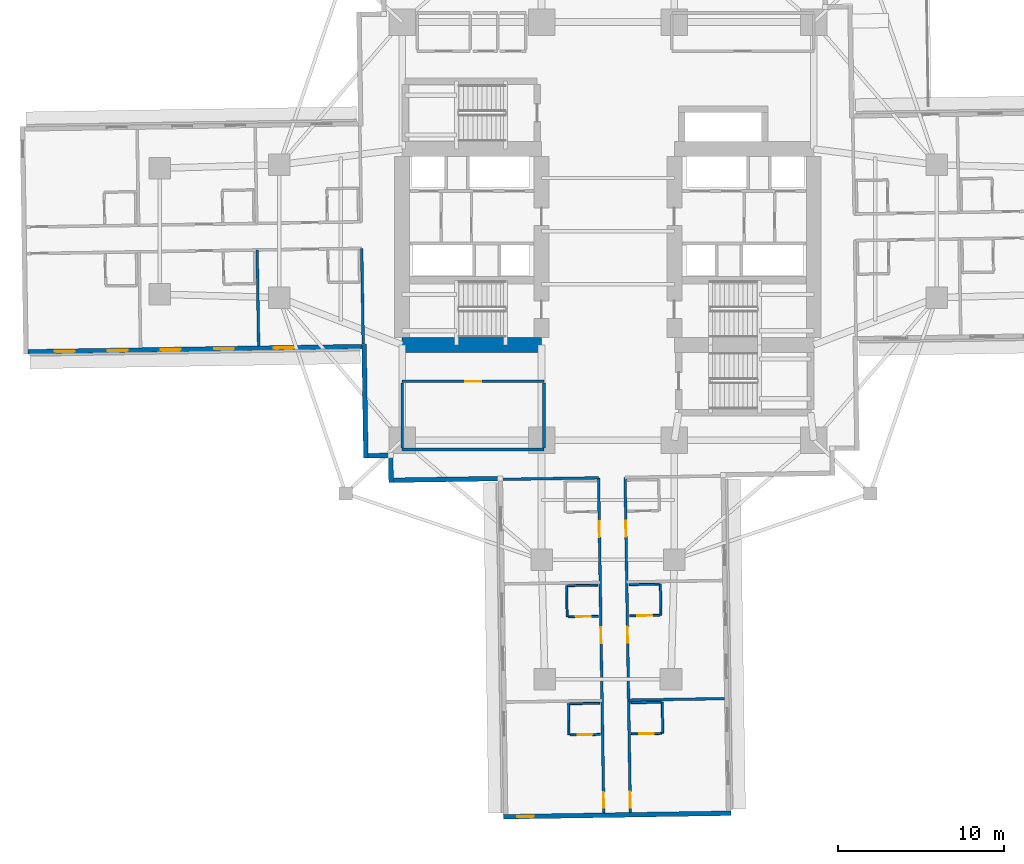
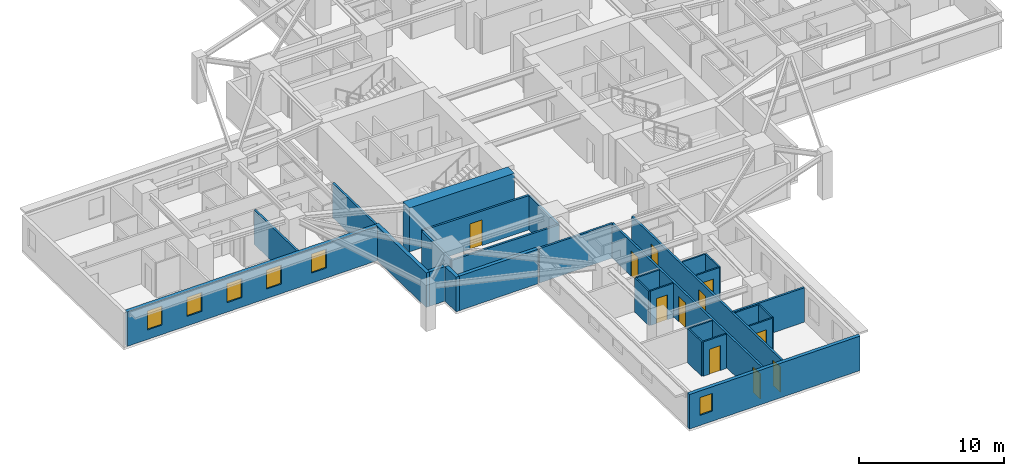
# One storey, part 3 of 14: 29 walls, 11 doors, 6 windows, 17 openings.
"""IFC4 building model written with IfcOpenShell, lengths in metres."""

from ifc_helpers import new_model, si_unit, direction, frame, frame_2d, origin, place, context, subcontext, project, spatial, rectangle, extrude, material, layer, layer_set, type_object, element, fill, save


model = new_model("IFC4")

# Units and contexts
model_context = context("Model", 3, precision=1e-05, world=origin(), true_north=direction((0.0, 1.0)))
body_context = subcontext(model_context, "Body", "Model", "MODEL_VIEW")
ifc_project = project(units=[si_unit("LENGTHUNIT", "METRE"), si_unit("AREAUNIT", "SQUARE_METRE"), si_unit("VOLUMEUNIT", "CUBIC_METRE"), si_unit("PLANEANGLEUNIT", "RADIAN"), si_unit("MASSUNIT", "GRAM", prefix="KILO")], contexts=[model_context])

# Site, building, storey
site_placement = place(None, origin())
site = spatial("IfcSite", under=ifc_project, at=site_placement, CompositionType="ELEMENT")
building_placement = place(site_placement, origin())
building = spatial("IfcBuilding", under=site, at=building_placement, Name="Qingluan Cross Belvedere", CompositionType="ELEMENT")
storey_placement = place(building_placement, frame((0.0, 0.0, 27.60009765625)))
storey = spatial("IfcBuildingStorey", under=building, at=storey_placement, Name="L07", CompositionType="ELEMENT", Elevation=27.60009765625)

# Walls
ifc_material_1 = material(Name="Concrete C70", Category="concrete")
ifc_layer_1 = layer(ifc_material_1, 0.89990234375, Name="CoreShearWall_900")
ifc_layer_set_1 = layer_set([ifc_layer_1], Name="Concrete C70")
wall_type_1 = type_object("IfcWallType", Name="CoreShearWall_900", PredefinedType="SHEAR", material=ifc_layer_set_1)
wall_1_placement = place(storey_placement, frame((-12.39990234375, -6.85009765625, 0.0), z_axis=(0.0, 0.0, 1.0), x_axis=(1.0, 0.0, 0.0)))
element("IfcWall", 1, at=wall_1_placement, inside=storey, type_object=wall_type_1, Name="Split core W shear wall L07-S", PredefinedType="SHEAR", context=body_context, shape_type="SweptSolid", body=[
    extrude(rectangle(XDim=8.39990234375, YDim=0.89990234375, at=frame_2d((4.199951171875, 0.0))), origin(), (0.0, 0.0, 1.0), 3.699951171875),
])
ifc_material_2 = material(Name="Gypsum plasterboard on steel stud acoustic partition", Category="steel")
ifc_layer_2 = layer(ifc_material_2, 0.159912109375, Name="CorridorPartition_160")
ifc_layer_set_2 = layer_set([ifc_layer_2], Name="Gypsum plasterboard on steel stud acoustic partition")
wall_type_2 = type_object("IfcWallType", Name="CorridorPartition_160", PredefinedType="PARTITIONING", material=ifc_layer_set_2)
wall_2_placement = place(storey_placement, frame((-12.39990234375, -13.14990234375, 0.0), z_axis=(0.0, 0.0, 1.0), x_axis=(1.0, 0.0, 0.0)))
element("IfcWall", 2, at=wall_2_placement, inside=storey, type_object=wall_type_2, Name="Partition L07:q_sw:S", PredefinedType="PARTITIONING", context=body_context, shape_type="SweptSolid", body=[
    extrude(rectangle(XDim=8.5498046875, YDim=0.159912109375, at=frame_2d((4.27490234375, 0.0))), origin(), (0.0, 0.0, 1.0), 2.89990234375),
])

# Wall, opening, door
wall_3_placement = place(storey_placement, frame((-12.39990234375, -9.050048828125, 0.0), z_axis=(0.0, 0.0, 1.0), x_axis=(1.0, 0.0, 0.0)))
wall_3 = element("IfcWall", 3, at=wall_3_placement, inside=storey, type_object=wall_type_2, Name="Partition L07:q_sw:N", PredefinedType="PARTITIONING", context=body_context, shape_type="SweptSolid", body=[
    extrude(rectangle(XDim=8.5498046875, YDim=0.159912109375, at=frame_2d((4.27490234375, 0.0))), origin(), (0.0, 0.0, 1.0), 2.89990234375),
])
opening_1_placement = place(wall_3_placement, frame((3.794921875, 0.0, 0.0)))
opening_1 = element("IfcOpeningElement", 4, at=opening_1_placement, cuts=wall_3, Name="Opening GD-10", PredefinedType="OPENING", context=body_context, shape_type="SweptSolid", body=[
    extrude(rectangle(XDim=0.9599609375, YDim=2.14990234375, at=frame_2d((0.47998046875, 1.074951171875))), frame((0.0, 0.08984375, 0.0), z_axis=(0.0, -1.0, 0.0), x_axis=(1.0, 0.0, 0.0)), (0.0, 0.0, 1.0), 0.179931640625),
])
ifc_material_3 = material(Name="Timber oak fire-rated acoustic guestroom door", Category="wood")
door_type_1 = type_object("IfcDoorType", Name="GuestEntryDoor_FD60", OperationType="NOTDEFINED", PredefinedType="DOOR", material=ifc_material_3)
door_1_placement = place(opening_1_placement, origin())
door_1 = element("IfcDoor", 5, at=door_1_placement, inside=storey, type_object=door_type_1, Name="Executive study room L07 door", OperationType="SINGLE_SWING_RIGHT", OverallHeight=2.14990234375, OverallWidth=0.9599609375, PredefinedType="DOOR", context=body_context, shape_type="SweptSolid", body=[
    extrude(rectangle(XDim=0.9599609375, YDim=2.14990234375, at=frame_2d((0.47998046875, 1.074951171875))), frame((0.0, 0.02490234375, 0.0), z_axis=(0.0, -1.0, 0.0), x_axis=(1.0, 0.0, 0.0)), (0.0, 0.0, 1.0), 0.050048828125),
])
fill(opening_1, door_1)

# Walls
for number, where, z_axis, x_axis, name in (
    (6, (-12.39990234375, -13.06494140625, 0.0), (0.0, 0.0, 1.0), (0.0, 1.0, 0.0), "Partition L07:q_sw:W"),
    (7, (-3.85009765625, -13.06494140625, 0.0), (0.0, 0.0, 1.0), (0.0, 1.0, 0.0), "Partition L07:q_sw:E"),
):
    element("IfcWall", number, at=place(storey_placement, frame(where, z_axis=z_axis, x_axis=x_axis)), inside=storey, type_object=wall_type_2, Name=name, PredefinedType="PARTITIONING", context=body_context, shape_type="SweptSolid", body=[
        extrude(rectangle(XDim=3.929931640625, YDim=0.159912109375, at=frame_2d((1.96484375, 0.0))), origin(), (0.0, 0.0, 1.0), 2.89990234375),
    ])
for number, where, z_axis, x_axis, name in (
    (8, (-14.835693359375, -1.033203125, 0.0), (0.0, 0.0, 1.0), (0.015734758102, -0.999876201031, 0.0), "Partition L07:W:s1"),
    (9, (-21.13671875, -1.132080078125, 0.0), (0.0, 0.0, 1.0), (0.015692470796, -0.999876865599, 0.0), "Partition L07:W:d1_0"),
):
    element("IfcWall", number, at=place(storey_placement, frame(where, z_axis=z_axis, x_axis=x_axis)), inside=storey, type_object=wall_type_2, Name=name, PredefinedType="PARTITIONING", context=body_context, shape_type="SweptSolid", body=[
        extrude(rectangle(XDim=5.77197265625, YDim=0.159912109375, at=frame_2d((2.885986328125, 0.0))), origin(), (0.0, 0.0, 1.0), 2.89990234375),
    ])

# Wall, openings, doors
wall_4_placement = place(storey_placement, frame((1.033203125, -14.835693359375, 0.0), z_axis=(0.0, 0.0, 1.0), x_axis=(0.015701893165, -0.999876717676, 0.0)))
wall_4 = element("IfcWall", 10, at=wall_4_placement, inside=storey, type_object=wall_type_2, Name="Partition L07:S:c0", PredefinedType="PARTITIONING", context=body_context, shape_type="SweptSolid", body=[
    extrude(rectangle(XDim=20.181884765625, YDim=0.159912109375, at=frame_2d((10.0908203125, 0.0))), origin(), (0.0, 0.0, 1.0), 2.89990234375),
])
opening_2_placement = place(wall_4_placement, frame((2.610107421875, 0.0, 0.0)))
opening_2 = element("IfcOpeningElement", 11, at=opening_2_placement, cuts=wall_4, Name="Opening GD-10", PredefinedType="OPENING", context=body_context, shape_type="SweptSolid", body=[
    extrude(rectangle(XDim=0.9599609375, YDim=2.14990234375, at=frame_2d((0.47998046875, 1.074951171875))), frame((0.0, 0.08984375, 0.0), z_axis=(0.0, -1.0, 0.0), x_axis=(1.0, 0.0, 0.0)), (0.0, 0.0, 1.0), 0.179931640625),
])
opening_3_placement = place(wall_4_placement, frame((8.993896484375, 0.0, 0.0)))
opening_3 = element("IfcOpeningElement", 12, at=opening_3_placement, cuts=wall_4, Name="Opening GD-10", PredefinedType="OPENING", context=body_context, shape_type="SweptSolid", body=[
    extrude(rectangle(XDim=0.9599609375, YDim=2.14990234375, at=frame_2d((0.47998046875, 1.074951171875))), frame((0.0, 0.08984375, 0.0), z_axis=(0.0, -1.0, 0.0), x_axis=(1.0, 0.0, 0.0)), (0.0, 0.0, 1.0), 0.179931640625),
])
opening_4_placement = place(wall_4_placement, frame((18.929931640625, 0.0, 0.0)))
opening_4 = element("IfcOpeningElement", 13, at=opening_4_placement, cuts=wall_4, Name="Opening GD-10", PredefinedType="OPENING", context=body_context, shape_type="SweptSolid", body=[
    extrude(rectangle(XDim=0.9599609375, YDim=2.14990234375, at=frame_2d((0.47998046875, 1.074951171875))), frame((0.0, 0.08984375, 0.0), z_axis=(0.0, -1.0, 0.0), x_axis=(1.0, 0.0, 0.0)), (0.0, 0.0, 1.0), 0.179931640625),
])
door_2_placement = place(opening_2_placement, origin())
door_2 = element("IfcDoor", 14, at=door_2_placement, inside=storey, type_object=door_type_1, Name="Guest entry fire door 0719", OperationType="SINGLE_SWING_LEFT", OverallHeight=2.14990234375, OverallWidth=0.9599609375, PredefinedType="DOOR", context=body_context, shape_type="SweptSolid", body=[
    extrude(rectangle(XDim=0.9599609375, YDim=2.14990234375, at=frame_2d((0.47998046875, 1.074951171875))), frame((0.0, 0.02490234375, 0.0), z_axis=(0.0, -1.0, 0.0), x_axis=(1.0, 0.0, 0.0)), (0.0, 0.0, 1.0), 0.050048828125),
])
fill(opening_2, door_2)
door_3_placement = place(opening_3_placement, origin())
door_3 = element("IfcDoor", 15, at=door_3_placement, inside=storey, type_object=door_type_1, Name="Guest entry fire door 0720", OperationType="SINGLE_SWING_LEFT", OverallHeight=2.14990234375, OverallWidth=0.9599609375, PredefinedType="DOOR", context=body_context, shape_type="SweptSolid", body=[
    extrude(rectangle(XDim=0.9599609375, YDim=2.14990234375, at=frame_2d((0.47998046875, 1.074951171875))), frame((0.0, 0.02490234375, 0.0), z_axis=(0.0, -1.0, 0.0), x_axis=(1.0, 0.0, 0.0)), (0.0, 0.0, 1.0), 0.050048828125),
])
fill(opening_3, door_3)
door_4_placement = place(opening_4_placement, origin())
door_4 = element("IfcDoor", 16, at=door_4_placement, inside=storey, type_object=door_type_1, Name="Guest entry fire door 0721", OperationType="SINGLE_SWING_LEFT", OverallHeight=2.14990234375, OverallWidth=0.9599609375, PredefinedType="DOOR", context=body_context, shape_type="SweptSolid", body=[
    extrude(rectangle(XDim=0.9599609375, YDim=2.14990234375, at=frame_2d((0.47998046875, 1.074951171875))), frame((0.0, 0.02490234375, 0.0), z_axis=(0.0, -1.0, 0.0), x_axis=(1.0, 0.0, 0.0)), (0.0, 0.0, 1.0), 0.050048828125),
])
fill(opening_4, door_4)

# Wall
wall_5_placement = place(storey_placement, frame((1.243896484375, -28.251953125, 0.0), z_axis=(0.0, 0.0, 1.0), x_axis=(0.999876865599, 0.015692470796, 0.0)))
element("IfcWall", 17, at=wall_5_placement, inside=storey, type_object=wall_type_2, Name="Partition L07:S:d0_1", PredefinedType="PARTITIONING", context=body_context, shape_type="SweptSolid", body=[
    extrude(rectangle(XDim=5.77197265625, YDim=0.159912109375, at=frame_2d((2.885986328125, 0.0))), origin(), (0.0, 0.0, 1.0), 2.89990234375),
])

# Wall, openings, doors
wall_6_placement = place(storey_placement, frame((-0.566650390625, -14.860595703125, 0.0), z_axis=(0.0, 0.0, 1.0), x_axis=(0.015713797103, -0.999876530668, 0.0)))
wall_6 = element("IfcWall", 18, at=wall_6_placement, inside=storey, type_object=wall_type_2, Name="Partition L07:S:c1", PredefinedType="PARTITIONING", context=body_context, shape_type="SweptSolid", body=[
    extrude(rectangle(XDim=20.18212890625, YDim=0.159912109375, at=frame_2d((10.091064453125, 0.0))), origin(), (0.0, 0.0, 1.0), 2.89990234375),
])
opening_5_placement = place(wall_6_placement, frame((2.610107421875, 0.0, 0.0)))
opening_5 = element("IfcOpeningElement", 19, at=opening_5_placement, cuts=wall_6, Name="Opening GD-10", PredefinedType="OPENING", context=body_context, shape_type="SweptSolid", body=[
    extrude(rectangle(XDim=0.9599609375, YDim=2.14990234375, at=frame_2d((0.47998046875, 1.074951171875))), frame((0.0, 0.08984375, 0.0), z_axis=(0.0, -1.0, 0.0), x_axis=(1.0, 0.0, 0.0)), (0.0, 0.0, 1.0), 0.179931640625),
])
opening_6_placement = place(wall_6_placement, frame((8.993896484375, 0.0, 0.0)))
opening_6 = element("IfcOpeningElement", 20, at=opening_6_placement, cuts=wall_6, Name="Opening GD-10", PredefinedType="OPENING", context=body_context, shape_type="SweptSolid", body=[
    extrude(rectangle(XDim=0.9599609375, YDim=2.14990234375, at=frame_2d((0.47998046875, 1.074951171875))), frame((0.0, 0.08984375, 0.0), z_axis=(0.0, -1.0, 0.0), x_axis=(1.0, 0.0, 0.0)), (0.0, 0.0, 1.0), 0.179931640625),
])
opening_7_placement = place(wall_6_placement, frame((18.929931640625, 0.0, 0.0)))
opening_7 = element("IfcOpeningElement", 21, at=opening_7_placement, cuts=wall_6, Name="Opening GD-10", PredefinedType="OPENING", context=body_context, shape_type="SweptSolid", body=[
    extrude(rectangle(XDim=0.9599609375, YDim=2.14990234375, at=frame_2d((0.47998046875, 1.074951171875))), frame((0.0, 0.08984375, 0.0), z_axis=(0.0, -1.0, 0.0), x_axis=(1.0, 0.0, 0.0)), (0.0, 0.0, 1.0), 0.179931640625),
])
door_5_placement = place(opening_5_placement, origin())
door_5 = element("IfcDoor", 22, at=door_5_placement, inside=storey, type_object=door_type_1, Name="Guest entry fire door 0722", OperationType="SINGLE_SWING_LEFT", OverallHeight=2.14990234375, OverallWidth=0.9599609375, PredefinedType="DOOR", context=body_context, shape_type="SweptSolid", body=[
    extrude(rectangle(XDim=0.9599609375, YDim=2.14990234375, at=frame_2d((0.47998046875, 1.074951171875))), frame((0.0, 0.02490234375, 0.0), z_axis=(0.0, -1.0, 0.0), x_axis=(1.0, 0.0, 0.0)), (0.0, 0.0, 1.0), 0.050048828125),
])
fill(opening_5, door_5)
door_6_placement = place(opening_6_placement, origin())
door_6 = element("IfcDoor", 23, at=door_6_placement, inside=storey, type_object=door_type_1, Name="Guest entry fire door 0723", OperationType="SINGLE_SWING_LEFT", OverallHeight=2.14990234375, OverallWidth=0.9599609375, PredefinedType="DOOR", context=body_context, shape_type="SweptSolid", body=[
    extrude(rectangle(XDim=0.9599609375, YDim=2.14990234375, at=frame_2d((0.47998046875, 1.074951171875))), frame((0.0, 0.02490234375, 0.0), z_axis=(0.0, -1.0, 0.0), x_axis=(1.0, 0.0, 0.0)), (0.0, 0.0, 1.0), 0.050048828125),
])
fill(opening_6, door_6)
door_7_placement = place(opening_7_placement, origin())
door_7 = element("IfcDoor", 24, at=door_7_placement, inside=storey, type_object=door_type_1, Name="Guest entry fire door 0724", OperationType="SINGLE_SWING_LEFT", OverallHeight=2.14990234375, OverallWidth=0.9599609375, PredefinedType="DOOR", context=body_context, shape_type="SweptSolid", body=[
    extrude(rectangle(XDim=0.9599609375, YDim=2.14990234375, at=frame_2d((0.47998046875, 1.074951171875))), frame((0.0, 0.02490234375, 0.0), z_axis=(0.0, -1.0, 0.0), x_axis=(1.0, 0.0, 0.0)), (0.0, 0.0, 1.0), 0.050048828125),
])
fill(opening_7, door_7)

# Wall
wall_7_placement = place(storey_placement, frame((-0.566650390625, -14.860595703125, 0.0), z_axis=(0.0, 0.0, 1.0), x_axis=(-0.999876548847, -0.015712640343, 0.0)))
element("IfcWall", 25, at=wall_7_placement, inside=storey, type_object=wall_type_2, Name="Partition L07:S:s1", PredefinedType="PARTITIONING", context=body_context, shape_type="SweptSolid", body=[
    extrude(rectangle(XDim=5.919921875, YDim=0.159912109375, at=frame_2d((2.9599609375, 0.0))), origin(), (0.0, 0.0, 1.0), 2.89990234375),
])

# Wall, opening, door
ifc_material_4 = material(Name="Moisture-resistant gypsum board lining")
ifc_layer_3 = layer(ifc_material_4, 0.1201171875, Name="EnsuiteWetPartition_120")
ifc_layer_set_3 = layer_set([ifc_layer_3], Name="Moisture-resistant gypsum board lining")
wall_type_3 = type_object("IfcWallType", Name="EnsuiteWetPartition_120", PredefinedType="PARTITIONING", material=ifc_layer_set_3)
wall_8_placement = place(storey_placement, frame((1.30419921875, -23.17431640625, 0.0), z_axis=(0.0, 0.0, 1.0), x_axis=(0.999876803258, 0.015696442504, 0.0)))
wall_8 = element("IfcWall", 26, at=wall_8_placement, inside=storey, type_object=wall_type_3, Name="Partition L07:S:bs0_1", PredefinedType="PARTITIONING", context=body_context, shape_type="SweptSolid", body=[
    extrude(rectangle(XDim=1.81982421875, YDim=0.1201171875, at=frame_2d((0.909912109375, 0.0))), origin(), (0.0, 0.0, 1.0), 2.89990234375),
])
opening_8_placement = place(wall_8_placement, frame((0.469970703125, 0.0, 0.0)))
opening_8 = element("IfcOpeningElement", 27, at=opening_8_placement, cuts=wall_8, Name="Opening BD-09", PredefinedType="OPENING", context=body_context, shape_type="SweptSolid", body=[
    extrude(rectangle(XDim=0.8798828125, YDim=2.10009765625, at=frame_2d((0.43994140625, 1.050048828125))), frame((0.0, 0.070068359375, 0.0), z_axis=(0.0, -1.0, 0.0), x_axis=(1.0, 0.0, 0.0)), (0.0, 0.0, 1.0), 0.14013671875),
])
ifc_material_5 = material(Name="Moisture-sealed timber en-suite door", Category="wood")
door_type_2 = type_object("IfcDoorType", Name="BathroomDoor_880", OperationType="NOTDEFINED", PredefinedType="DOOR", material=ifc_material_5)
door_8_placement = place(opening_8_placement, origin())
door_8 = element("IfcDoor", 28, at=door_8_placement, inside=storey, type_object=door_type_2, Name="Bathroom door 0720", OperationType="SINGLE_SWING_RIGHT", OverallHeight=2.10009765625, OverallWidth=0.8798828125, PredefinedType="DOOR", context=body_context, shape_type="SweptSolid", body=[
    extrude(rectangle(XDim=0.8798828125, YDim=2.10009765625, at=frame_2d((0.43994140625, 1.050048828125))), frame((0.0, 0.02490234375, 0.0), z_axis=(0.0, -1.0, 0.0), x_axis=(1.0, 0.0, 0.0)), (0.0, 0.0, 1.0), 0.050048828125),
])
fill(opening_8, door_8)

# Walls
wall_9_placement = place(storey_placement, frame((1.274658203125, -21.294677734375, 0.0), z_axis=(0.0, 0.0, 1.0), x_axis=(0.999876836305, 0.015694337248, 0.0)))
element("IfcWall", 29, at=wall_9_placement, inside=storey, type_object=wall_type_3, Name="Partition L07:S:bw0_1", PredefinedType="PARTITIONING", context=body_context, shape_type="SweptSolid", body=[
    extrude(rectangle(XDim=1.820068359375, YDim=0.1201171875, at=frame_2d((0.91015625, 0.0))), origin(), (0.0, 0.0, 1.0), 2.89990234375),
])
wall_10_placement = place(storey_placement, frame((3.159423828125, -21.264892578125, 0.0), z_axis=(0.0, 0.0, 1.0), x_axis=(0.01571234584, -0.999876553475, 0.0)))
element("IfcWall", 30, at=wall_10_placement, inside=storey, type_object=wall_type_3, Name="Partition L07:S:bn0_1", PredefinedType="PARTITIONING", context=body_context, shape_type="SweptSolid", body=[
    extrude(rectangle(XDim=1.880126953125, YDim=0.1201171875, at=frame_2d((0.93994140625, 0.0))), origin(), (0.0, 0.0, 1.0), 2.89990234375),
])

# Wall, opening, door
wall_11_placement = place(storey_placement, frame((1.416015625, -30.28955078125, 0.0), z_axis=(0.0, 0.0, 1.0), x_axis=(0.999876803258, 0.015696442504, 0.0)))
wall_11 = element("IfcWall", 31, at=wall_11_placement, inside=storey, type_object=wall_type_3, Name="Partition L07:S:bs0_2", PredefinedType="PARTITIONING", context=body_context, shape_type="SweptSolid", body=[
    extrude(rectangle(XDim=1.81982421875, YDim=0.1201171875, at=frame_2d((0.909912109375, 0.0))), origin(), (0.0, 0.0, 1.0), 2.89990234375),
])
opening_9_placement = place(wall_11_placement, frame((0.469970703125, 0.0, 0.0)))
opening_9 = element("IfcOpeningElement", 32, at=opening_9_placement, cuts=wall_11, Name="Opening BD-09", PredefinedType="OPENING", context=body_context, shape_type="SweptSolid", body=[
    extrude(rectangle(XDim=0.8798828125, YDim=2.10009765625, at=frame_2d((0.43994140625, 1.050048828125))), frame((0.0, 0.070068359375, 0.0), z_axis=(0.0, -1.0, 0.0), x_axis=(1.0, 0.0, 0.0)), (0.0, 0.0, 1.0), 0.14013671875),
])
door_9_placement = place(opening_9_placement, origin())
door_9 = element("IfcDoor", 33, at=door_9_placement, inside=storey, type_object=door_type_2, Name="Bathroom door 0721", OperationType="SINGLE_SWING_RIGHT", OverallHeight=2.10009765625, OverallWidth=0.8798828125, PredefinedType="DOOR", context=body_context, shape_type="SweptSolid", body=[
    extrude(rectangle(XDim=0.8798828125, YDim=2.10009765625, at=frame_2d((0.43994140625, 1.050048828125))), frame((0.0, 0.02490234375, 0.0), z_axis=(0.0, -1.0, 0.0), x_axis=(1.0, 0.0, 0.0)), (0.0, 0.0, 1.0), 0.050048828125),
])
fill(opening_9, door_9)

# Walls
wall_12_placement = place(storey_placement, frame((1.386474609375, -28.40966796875, 0.0), z_axis=(0.0, 0.0, 1.0), x_axis=(0.999876836305, 0.015694337248, 0.0)))
element("IfcWall", 34, at=wall_12_placement, inside=storey, type_object=wall_type_3, Name="Partition L07:S:bw0_2", PredefinedType="PARTITIONING", context=body_context, shape_type="SweptSolid", body=[
    extrude(rectangle(XDim=1.820068359375, YDim=0.1201171875, at=frame_2d((0.91015625, 0.0))), origin(), (0.0, 0.0, 1.0), 2.89990234375),
])
wall_13_placement = place(storey_placement, frame((3.271240234375, -28.380126953125, 0.0), z_axis=(0.0, 0.0, 1.0), x_axis=(0.01571234584, -0.999876553475, 0.0)))
element("IfcWall", 35, at=wall_13_placement, inside=storey, type_object=wall_type_3, Name="Partition L07:S:bn0_2", PredefinedType="PARTITIONING", context=body_context, shape_type="SweptSolid", body=[
    extrude(rectangle(XDim=1.880126953125, YDim=0.1201171875, at=frame_2d((0.93994140625, 0.0))), origin(), (0.0, 0.0, 1.0), 2.89990234375),
])

# Wall, opening, door
wall_14_placement = place(storey_placement, frame((-2.3955078125, -23.232421875, 0.0), z_axis=(0.0, 0.0, 1.0), x_axis=(0.999876836305, 0.015694337248, 0.0)))
wall_14 = element("IfcWall", 36, at=wall_14_placement, inside=storey, type_object=wall_type_3, Name="Partition L07:S:bs1_1", PredefinedType="PARTITIONING", context=body_context, shape_type="SweptSolid", body=[
    extrude(rectangle(XDim=1.820068359375, YDim=0.1201171875, at=frame_2d((0.91015625, 0.0))), origin(), (0.0, 0.0, 1.0), 2.89990234375),
])
opening_10_placement = place(wall_14_placement, frame((0.469970703125, 0.0, 0.0)))
opening_10 = element("IfcOpeningElement", 37, at=opening_10_placement, cuts=wall_14, Name="Opening BD-09", PredefinedType="OPENING", context=body_context, shape_type="SweptSolid", body=[
    extrude(rectangle(XDim=0.8798828125, YDim=2.10009765625, at=frame_2d((0.43994140625, 1.050048828125))), frame((0.0, 0.070068359375, 0.0), z_axis=(0.0, -1.0, 0.0), x_axis=(1.0, 0.0, 0.0)), (0.0, 0.0, 1.0), 0.14013671875),
])
door_10_placement = place(opening_10_placement, origin())
door_10 = element("IfcDoor", 38, at=door_10_placement, inside=storey, type_object=door_type_2, Name="Bathroom door 0723", OperationType="SINGLE_SWING_RIGHT", OverallHeight=2.10009765625, OverallWidth=0.8798828125, PredefinedType="DOOR", context=body_context, shape_type="SweptSolid", body=[
    extrude(rectangle(XDim=0.8798828125, YDim=2.10009765625, at=frame_2d((0.43994140625, 1.050048828125))), frame((0.0, 0.02490234375, 0.0), z_axis=(0.0, -1.0, 0.0), x_axis=(1.0, 0.0, 0.0)), (0.0, 0.0, 1.0), 0.050048828125),
])
fill(opening_10, door_10)

# Walls
wall_15_placement = place(storey_placement, frame((-2.4248046875, -21.352783203125, 0.0), z_axis=(0.0, 0.0, 1.0), x_axis=(0.999876836305, 0.015694337248, 0.0)))
element("IfcWall", 39, at=wall_15_placement, inside=storey, type_object=wall_type_3, Name="Partition L07:S:bw1_1", PredefinedType="PARTITIONING", context=body_context, shape_type="SweptSolid", body=[
    extrude(rectangle(XDim=1.820068359375, YDim=0.1201171875, at=frame_2d((0.91015625, 0.0))), origin(), (0.0, 0.0, 1.0), 2.89990234375),
])
wall_16_placement = place(storey_placement, frame((-2.489990234375, -21.353759765625, 0.0), z_axis=(0.0, 0.0, 1.0), x_axis=(0.015714386166, -0.99987652141, 0.0)))
element("IfcWall", 40, at=wall_16_placement, inside=storey, type_object=wall_type_3, Name="Partition L07:S:bc1_1", PredefinedType="PARTITIONING", context=body_context, shape_type="SweptSolid", body=[
    extrude(rectangle(XDim=1.8798828125, YDim=0.1201171875, at=frame_2d((0.93994140625, 0.0))), origin(), (0.0, 0.0, 1.0), 2.89990234375),
])

# Wall, opening, door
wall_17_placement = place(storey_placement, frame((-2.28369140625, -30.34765625, 0.0), z_axis=(0.0, 0.0, 1.0), x_axis=(0.999876836305, 0.015694337248, 0.0)))
wall_17 = element("IfcWall", 41, at=wall_17_placement, inside=storey, type_object=wall_type_3, Name="Partition L07:S:bs1_2", PredefinedType="PARTITIONING", context=body_context, shape_type="SweptSolid", body=[
    extrude(rectangle(XDim=1.820068359375, YDim=0.1201171875, at=frame_2d((0.91015625, 0.0))), origin(), (0.0, 0.0, 1.0), 2.89990234375),
])
opening_11_placement = place(wall_17_placement, frame((0.469970703125, 0.0, 0.0)))
opening_11 = element("IfcOpeningElement", 42, at=opening_11_placement, cuts=wall_17, Name="Opening BD-09", PredefinedType="OPENING", context=body_context, shape_type="SweptSolid", body=[
    extrude(rectangle(XDim=0.8798828125, YDim=2.10009765625, at=frame_2d((0.43994140625, 1.050048828125))), frame((0.0, 0.070068359375, 0.0), z_axis=(0.0, -1.0, 0.0), x_axis=(1.0, 0.0, 0.0)), (0.0, 0.0, 1.0), 0.14013671875),
])
door_11_placement = place(opening_11_placement, origin())
door_11 = element("IfcDoor", 43, at=door_11_placement, inside=storey, type_object=door_type_2, Name="Bathroom door 0724", OperationType="SINGLE_SWING_RIGHT", OverallHeight=2.10009765625, OverallWidth=0.8798828125, PredefinedType="DOOR", context=body_context, shape_type="SweptSolid", body=[
    extrude(rectangle(XDim=0.8798828125, YDim=2.10009765625, at=frame_2d((0.43994140625, 1.050048828125))), frame((0.0, 0.02490234375, 0.0), z_axis=(0.0, -1.0, 0.0), x_axis=(1.0, 0.0, 0.0)), (0.0, 0.0, 1.0), 0.050048828125),
])
fill(opening_11, door_11)

# Walls
wall_18_placement = place(storey_placement, frame((-2.31298828125, -28.4677734375, 0.0), z_axis=(0.0, 0.0, 1.0), x_axis=(0.999876803258, 0.015696442504, 0.0)))
element("IfcWall", 44, at=wall_18_placement, inside=storey, type_object=wall_type_3, Name="Partition L07:S:bw1_2", PredefinedType="PARTITIONING", context=body_context, shape_type="SweptSolid", body=[
    extrude(rectangle(XDim=1.81982421875, YDim=0.1201171875, at=frame_2d((0.909912109375, 0.0))), origin(), (0.0, 0.0, 1.0), 2.89990234375),
])
wall_19_placement = place(storey_placement, frame((-2.378173828125, -28.468994140625, 0.0), z_axis=(0.0, 0.0, 1.0), x_axis=(0.015714386166, -0.99987652141, 0.0)))
element("IfcWall", 45, at=wall_19_placement, inside=storey, type_object=wall_type_3, Name="Partition L07:S:bc1_2", PredefinedType="PARTITIONING", context=body_context, shape_type="SweptSolid", body=[
    extrude(rectangle(XDim=1.8798828125, YDim=0.1201171875, at=frame_2d((0.93994140625, 0.0))), origin(), (0.0, 0.0, 1.0), 2.89990234375),
])

# Wall, openings, windows
ifc_material_6 = material(Name="Precast concrete C45", Category="concrete")
ifc_layer_4 = layer(ifc_material_6, 0.280029296875, Name="PrecastFacadeWall_280")
ifc_layer_set_4 = layer_set([ifc_layer_4], Name="Precast concrete C45")
wall_type_4 = type_object("IfcWallType", Name="PrecastFacadeWall_280", PredefinedType="STANDARD", material=ifc_layer_set_4)
wall_20_placement = place(storey_placement, frame((-34.93017578125, -7.26953125, 0.0), z_axis=(0.0, 0.0, 1.0), x_axis=(0.999876667941, 0.015705059908, 0.0)))
wall_20 = element("IfcWall", 46, at=wall_20_placement, inside=storey, type_object=wall_type_4, Name="Facade wall L07-WB", PredefinedType="STANDARD", context=body_context, shape_type="SweptSolid", body=[
    extrude(rectangle(XDim=20.10009765625, YDim=0.280029296875, at=frame_2d((10.050048828125, 0.0))), origin(), (0.0, 0.0, 1.0), 2.909912109375),
])
opening_12_placement = place(wall_20_placement, frame((1.60009765625, 0.0, 0.800048828125)))
opening_12 = element("IfcOpeningElement", 47, at=opening_12_placement, cuts=wall_20, Name="Opening W-02", PredefinedType="OPENING", context=body_context, shape_type="SweptSolid", body=[
    extrude(rectangle(XDim=1.199951171875, YDim=1.60009765625, at=frame_2d((0.60009765625, 0.800048828125))), frame((0.0, 0.14990234375, 0.0), z_axis=(0.0, -1.0, 0.0), x_axis=(1.0, 0.0, 0.0)), (0.0, 0.0, 1.0), 0.300048828125),
])
opening_13_placement = place(wall_20_placement, frame((4.800048828125, 0.0, 0.800048828125)))
opening_13 = element("IfcOpeningElement", 48, at=opening_13_placement, cuts=wall_20, Name="Opening W-02", PredefinedType="OPENING", context=body_context, shape_type="SweptSolid", body=[
    extrude(rectangle(XDim=1.199951171875, YDim=1.60009765625, at=frame_2d((0.60009765625, 0.800048828125))), frame((0.0, 0.14990234375, 0.0), z_axis=(0.0, -1.0, 0.0), x_axis=(1.0, 0.0, 0.0)), (0.0, 0.0, 1.0), 0.300048828125),
])
opening_14_placement = place(wall_20_placement, frame((8.0, 0.0, 0.800048828125)))
opening_14 = element("IfcOpeningElement", 49, at=opening_14_placement, cuts=wall_20, Name="Opening W-02", PredefinedType="OPENING", context=body_context, shape_type="SweptSolid", body=[
    extrude(rectangle(XDim=1.199951171875, YDim=1.60009765625, at=frame_2d((0.60009765625, 0.800048828125))), frame((0.0, 0.14990234375, 0.0), z_axis=(0.0, -1.0, 0.0), x_axis=(1.0, 0.0, 0.0)), (0.0, 0.0, 1.0), 0.300048828125),
])
opening_15_placement = place(wall_20_placement, frame((11.199951171875, 0.0, 0.800048828125)))
opening_15 = element("IfcOpeningElement", 50, at=opening_15_placement, cuts=wall_20, Name="Opening W-02", PredefinedType="OPENING", context=body_context, shape_type="SweptSolid", body=[
    extrude(rectangle(XDim=1.199951171875, YDim=1.60009765625, at=frame_2d((0.60009765625, 0.800048828125))), frame((0.0, 0.14990234375, 0.0), z_axis=(0.0, -1.0, 0.0), x_axis=(1.0, 0.0, 0.0)), (0.0, 0.0, 1.0), 0.300048828125),
])
opening_16_placement = place(wall_20_placement, frame((14.799072265625, 0.0, 0.85009765625)))
opening_16 = element("IfcOpeningElement", 51, at=opening_16_placement, cuts=wall_20, Name="Opening W-02", PredefinedType="OPENING", context=body_context, shape_type="SweptSolid", body=[
    extrude(rectangle(XDim=1.199951171875, YDim=1.60009765625, at=frame_2d((0.60009765625, 0.800048828125))), frame((0.0, 0.14990234375, 0.0), z_axis=(0.0, -1.0, 0.0), x_axis=(1.0, 0.0, 0.0)), (0.0, 0.0, 1.0), 0.300048828125),
])
ifc_material_7 = material(Name="Thermally broken triple Low-E glass in aluminium frame", Category="aluminium")
window_type_1 = type_object("IfcWindowType", Name="TriRibbonWin_1200x1600", PartitioningType="SINGLE_PANEL", PredefinedType="WINDOW", material=ifc_material_7)
window_1_placement = place(opening_12_placement, origin())
window_1 = element("IfcWindow", 52, at=window_1_placement, inside=storey, type_object=window_type_1, Name="Ribbon window L07-WB-1", OverallHeight=1.60009765625, OverallWidth=1.199951171875, PartitioningType="SINGLE_PANEL", PredefinedType="WINDOW", context=body_context, shape_type="SweptSolid", body=[
    extrude(rectangle(XDim=1.199951171875, YDim=1.60009765625, at=frame_2d((0.60009765625, 0.800048828125))), frame((0.0, 0.030029296875, 0.0), z_axis=(0.0, -1.0, 0.0), x_axis=(1.0, 0.0, 0.0)), (0.0, 0.0, 1.0), 0.06005859375),
])
fill(opening_12, window_1)
window_2_placement = place(opening_13_placement, origin())
window_2 = element("IfcWindow", 53, at=window_2_placement, inside=storey, type_object=window_type_1, Name="Ribbon window L07-WB-2", OverallHeight=1.60009765625, OverallWidth=1.199951171875, PartitioningType="SINGLE_PANEL", PredefinedType="WINDOW", context=body_context, shape_type="SweptSolid", body=[
    extrude(rectangle(XDim=1.199951171875, YDim=1.60009765625, at=frame_2d((0.60009765625, 0.800048828125))), frame((0.0, 0.030029296875, 0.0), z_axis=(0.0, -1.0, 0.0), x_axis=(1.0, 0.0, 0.0)), (0.0, 0.0, 1.0), 0.06005859375),
])
fill(opening_13, window_2)
window_3_placement = place(opening_14_placement, origin())
window_3 = element("IfcWindow", 54, at=window_3_placement, inside=storey, type_object=window_type_1, Name="Ribbon window L07-WB-3", OverallHeight=1.60009765625, OverallWidth=1.199951171875, PartitioningType="SINGLE_PANEL", PredefinedType="WINDOW", context=body_context, shape_type="SweptSolid", body=[
    extrude(rectangle(XDim=1.199951171875, YDim=1.60009765625, at=frame_2d((0.60009765625, 0.800048828125))), frame((0.0, 0.030029296875, 0.0), z_axis=(0.0, -1.0, 0.0), x_axis=(1.0, 0.0, 0.0)), (0.0, 0.0, 1.0), 0.06005859375),
])
fill(opening_14, window_3)
window_4_placement = place(opening_15_placement, origin())
window_4 = element("IfcWindow", 55, at=window_4_placement, inside=storey, type_object=window_type_1, Name="Ribbon window L07-WB-4", OverallHeight=1.60009765625, OverallWidth=1.199951171875, PartitioningType="SINGLE_PANEL", PredefinedType="WINDOW", context=body_context, shape_type="SweptSolid", body=[
    extrude(rectangle(XDim=1.199951171875, YDim=1.60009765625, at=frame_2d((0.60009765625, 0.800048828125))), frame((0.0, 0.030029296875, 0.0), z_axis=(0.0, -1.0, 0.0), x_axis=(1.0, 0.0, 0.0)), (0.0, 0.0, 1.0), 0.06005859375),
])
fill(opening_15, window_4)
window_5_placement = place(opening_16_placement, origin())
window_5 = element("IfcWindow", 56, at=window_5_placement, inside=storey, type_object=window_type_1, Name="Deluxe guest room 0710 daylight window", OverallHeight=1.60009765625, OverallWidth=1.199951171875, PartitioningType="SINGLE_PANEL", PredefinedType="WINDOW", context=body_context, shape_type="SweptSolid", body=[
    extrude(rectangle(XDim=1.199951171875, YDim=1.60009765625, at=frame_2d((0.60009765625, 0.800048828125))), frame((0.0, 0.030029296875, 0.0), z_axis=(0.0, -1.0, 0.0), x_axis=(1.0, 0.0, 0.0)), (0.0, 0.0, 1.0), 0.06005859375),
])
fill(opening_16, window_5)

# Wall, opening, window
wall_21_placement = place(storey_placement, frame((-6.306640625, -35.283447265625, 0.0), z_axis=(0.0, 0.0, 1.0), x_axis=(0.999876549481, 0.015712599986, 0.0)))
wall_21 = element("IfcWall", 57, at=wall_21_placement, inside=storey, type_object=wall_type_4, Name="Arm tip precast facade wall L07-S", PredefinedType="STANDARD", context=body_context, shape_type="SweptSolid", body=[
    extrude(rectangle(XDim=13.719970703125, YDim=0.280029296875, at=frame_2d((6.85986328125, 0.0))), origin(), (0.0, 0.0, 1.0), 2.909912109375),
])
opening_17_placement = place(wall_21_placement, frame((0.85009765625, 0.0, 0.85009765625)))
opening_17 = element("IfcOpeningElement", 58, at=opening_17_placement, cuts=wall_21, Name="Opening W-03", PredefinedType="OPENING", context=body_context, shape_type="SweptSolid", body=[
    extrude(rectangle(XDim=1.0, YDim=1.5, at=frame_2d((0.5, 0.75))), frame((0.0, 0.14990234375, 0.0), z_axis=(0.0, -1.0, 0.0), x_axis=(1.0, 0.0, 0.0)), (0.0, 0.0, 1.0), 0.300048828125),
])
ifc_material_8 = material(Name="Thermally broken triple Low-E glass in aluminium frame", Category="aluminium")
window_type_2 = type_object("IfcWindowType", Name="TriApexWin_1000x1500", PartitioningType="SINGLE_PANEL", PredefinedType="WINDOW", material=ifc_material_8)
window_6_placement = place(opening_17_placement, origin())
window_6 = element("IfcWindow", 59, at=window_6_placement, inside=storey, type_object=window_type_2, Name="Arm tip triangular window L07-S", OverallHeight=1.5, OverallWidth=1.0, PartitioningType="SINGLE_PANEL", PredefinedType="WINDOW", context=body_context, shape_type="SweptSolid", body=[
    extrude(rectangle(XDim=1.0, YDim=1.5, at=frame_2d((0.5, 0.75))), frame((0.0, 0.030029296875, 0.0), z_axis=(0.0, -1.0, 0.0), x_axis=(1.0, 0.0, 0.0)), (0.0, 0.0, 1.0), 0.06005859375),
])
fill(opening_17, window_6)

# Walls
wall_22_placement = place(storey_placement, frame((-14.69482421875, -6.811767578125, 0.0), z_axis=(0.0, 0.0, 1.0), x_axis=(0.015694809807, -0.999876828887, 0.0)))
element("IfcWall", 60, at=wall_22_placement, inside=storey, type_object=wall_type_4, Name="Corner wall L07-SW1", PredefinedType="STANDARD", context=body_context, shape_type="SweptSolid", body=[
    extrude(rectangle(XDim=6.85986328125, YDim=0.280029296875, at=frame_2d((3.429931640625, 0.0))), origin(), (0.0, 0.0, 1.0), 2.909912109375),
])
wall_23_placement = place(storey_placement, frame((-14.44921875, -13.528564453125, 0.0), z_axis=(0.0, 0.0, 1.0), x_axis=(0.999878147354, 0.015610587569, 0.0)))
element("IfcWall", 61, at=wall_23_placement, inside=storey, type_object=wall_type_4, Name="Corner wall L07-SW2", PredefinedType="STANDARD", context=body_context, shape_type="SweptSolid", body=[
    extrude(rectangle(XDim=1.219970703125, YDim=0.280029296875, at=frame_2d((0.60986328125, 0.0))), origin(), (0.0, 0.0, 1.0), 2.909912109375),
])
wall_24_placement = place(storey_placement, frame((-13.08740234375, -13.647216796875, 0.0), z_axis=(0.0, 0.0, 1.0), x_axis=(0.015785793208, -0.999875396603, 0.0)))
element("IfcWall", 62, at=wall_24_placement, inside=storey, type_object=wall_type_4, Name="Corner wall L07-SW3", PredefinedType="STANDARD", context=body_context, shape_type="SweptSolid", body=[
    extrude(rectangle(XDim=1.500244140625, YDim=0.280029296875, at=frame_2d((0.75, 0.0))), origin(), (0.0, 0.0, 1.0), 2.909912109375),
])
wall_25_placement = place(storey_placement, frame((-12.92578125, -15.0048828125, 0.0), z_axis=(0.0, 0.0, 1.0), x_axis=(0.999876823822, 0.015695132501, 0.0)))
element("IfcWall", 63, at=wall_25_placement, inside=storey, type_object=wall_type_4, Name="Corner wall L07-SW4", PredefinedType="STANDARD", context=body_context, shape_type="SweptSolid", body=[
    extrude(rectangle(XDim=6.2998046875, YDim=0.280029296875, at=frame_2d((3.14990234375, 0.0))), origin(), (0.0, 0.0, 1.0), 2.909912109375),
])

save(model, "model.ifc")
